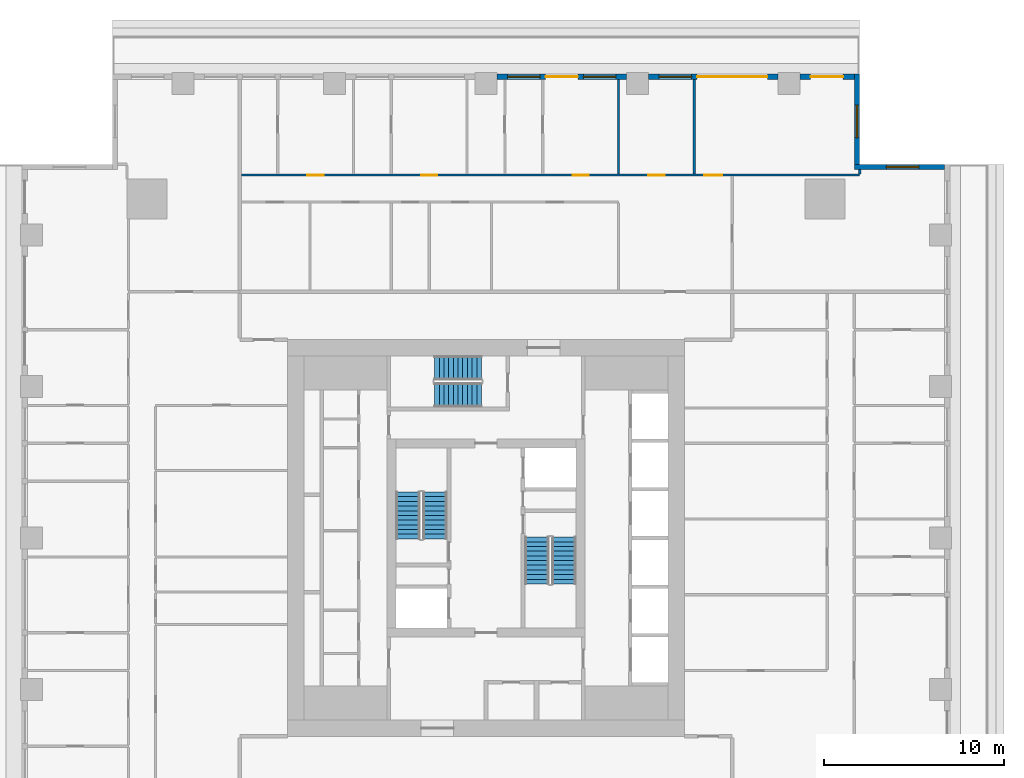
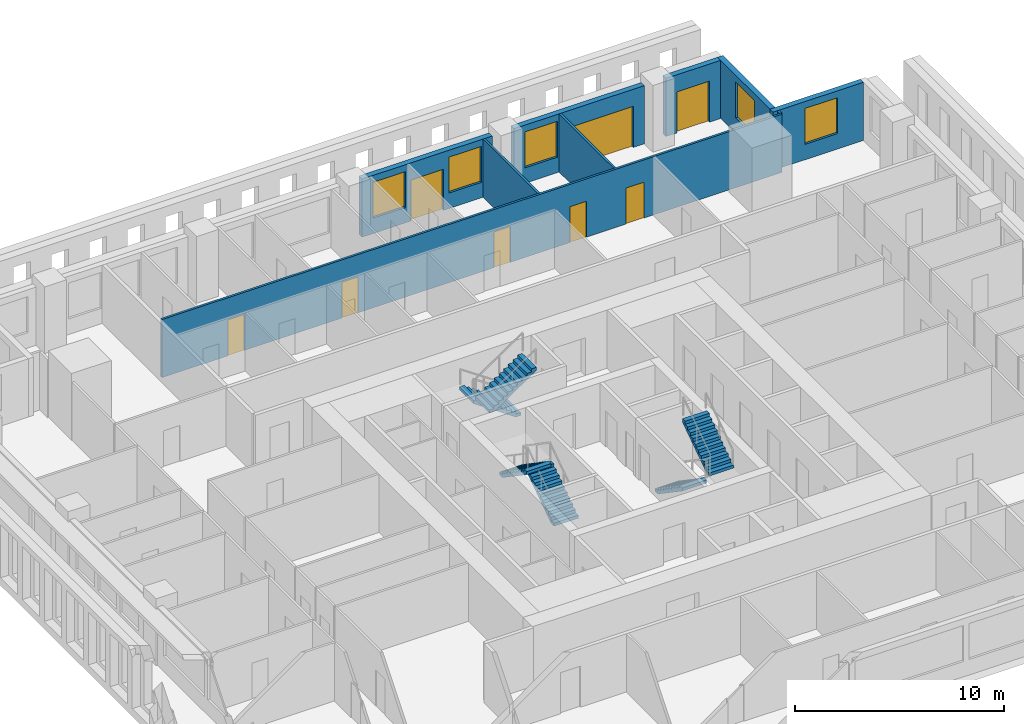
# One storey, part 9 of 14: 9 walls, 8 doors, 6 stair flights, 5 windows, 13 openings, 3 elements without a shape of their own.
"""IFC4 building model written with IfcOpenShell, lengths in metres."""

from ifc_helpers import new_model, si_unit, direction, frame, frame_2d, origin, place, context, subcontext, project, spatial, polyline, rectangle, outline, extrude, material, layer, layer_set, type_object, element, fill, aggregate, save


model = new_model("IFC4")

# Units and contexts
model_context = context("Model", 3, precision=1e-05, world=origin(), true_north=direction((0.0, 1.0)))
body_context = subcontext(model_context, "Body", "Model", "MODEL_VIEW")
ifc_project = project(units=[si_unit("LENGTHUNIT", "METRE"), si_unit("AREAUNIT", "SQUARE_METRE"), si_unit("VOLUMEUNIT", "CUBIC_METRE"), si_unit("PLANEANGLEUNIT", "RADIAN"), si_unit("MASSUNIT", "GRAM", prefix="KILO")], contexts=[model_context])

# Site, building, storey
site_placement = place(None, origin())
site = spatial("IfcSite", under=ifc_project, at=site_placement, CompositionType="ELEMENT")
building_placement = place(site_placement, origin())
building = spatial("IfcBuilding", under=site, at=building_placement, Name="Khepri Terraces", CompositionType="ELEMENT")
storey_placement = place(building_placement, frame((0.0, 0.0, 283.5)))
storey = spatial("IfcBuildingStorey", under=building, at=storey_placement, Name="L68", CompositionType="ELEMENT", Elevation=283.5)

# Wall, opening, window
ifc_material_1 = material(Name="Precast concrete C50/60 warm stone", Category="masonry")
ifc_layer_1 = layer(ifc_material_1, 0.300048828125, Name="Precast concrete C50/60 warm stone", Category="masonry")
ifc_layer_set_1 = layer_set([ifc_layer_1], Name="Precast concrete C50/60 warm stone")
wall_type_1 = type_object("IfcWallType", Name="WL-EXT-PRECAST-300", PredefinedType="STANDARD", material=ifc_layer_set_1)
wall_1_placement = place(storey_placement, frame((25.419921875, 20.570068359375, 0.0), z_axis=(0.0, 0.0, 1.0), x_axis=(-1.0, 0.0, 0.0)))
wall_1 = element("IfcWall", 1, at=wall_1_placement, inside=storey, type_object=wall_type_1, Name="External wall L68 N", PredefinedType="STANDARD", context=body_context, shape_type="SweptSolid", body=[
    extrude(rectangle(XDim=5.0, YDim=0.300048828125, at=frame_2d((2.5, 0.0))), origin(), (0.0, 0.0, 1.0), 3.39990234375),
])
opening_1_placement = place(wall_1_placement, frame((1.419921875, 0.0, 0.89990234375)))
opening_1 = element("IfcOpeningElement", 2, at=opening_1_placement, cuts=wall_1, Name="Opening W1", PredefinedType="OPENING", context=body_context, shape_type="SweptSolid", body=[
    extrude(rectangle(XDim=1.800048828125, YDim=2.10009765625, at=frame_2d((0.89990234375, 1.050048828125))), frame((0.0, 0.16015625, 0.0), z_axis=(0.0, -1.0, 0.0), x_axis=(1.0, 0.0, 0.0)), (0.0, 0.0, 1.0), 0.320068359375),
])
ifc_material_2 = material(Name="Clear glass", Category="glass")
window_type = type_object("IfcWindowType", Name="WIN-RES-1800x2100", PartitioningType="SINGLE_PANEL", PredefinedType="WINDOW", material=ifc_material_2)
window_1_placement = place(opening_1_placement, origin())
window_1 = element("IfcWindow", 3, at=window_1_placement, inside=storey, type_object=window_type, Name="Window L68 N", OverallHeight=2.10009765625, OverallWidth=1.800048828125, PartitioningType="SINGLE_PANEL", PredefinedType="WINDOW", context=body_context, shape_type="SweptSolid", body=[
    extrude(rectangle(XDim=1.800048828125, YDim=2.10009765625, at=frame_2d((0.89990234375, 1.050048828125))), frame((0.0, 0.030029296875, 0.0), z_axis=(0.0, -1.0, 0.0), x_axis=(1.0, 0.0, 0.0)), (0.0, 0.0, 1.0), 0.06005859375),
])
fill(opening_1, window_1)

wall_2_placement = place(storey_placement, frame((20.570068359375, 20.719970703125, 0.0), z_axis=(0.0, 0.0, 1.0), x_axis=(0.0, 1.0, 0.0)))
wall_2 = element("IfcWall", 4, at=wall_2_placement, inside=storey, type_object=wall_type_1, Name="External wall L68 E", PredefinedType="STANDARD", context=body_context, shape_type="SweptSolid", body=[
    extrude(rectangle(XDim=5.0, YDim=0.300048828125, at=frame_2d((2.5, 0.0))), origin(), (0.0, 0.0, 1.0), 3.39990234375),
])
opening_2_placement = place(wall_2_placement, frame((1.47998046875, 0.0, 0.89990234375)))
opening_2 = element("IfcOpeningElement", 5, at=opening_2_placement, cuts=wall_2, Name="Opening W1", PredefinedType="OPENING", context=body_context, shape_type="SweptSolid", body=[
    extrude(rectangle(XDim=1.800048828125, YDim=2.10009765625, at=frame_2d((0.89990234375, 1.050048828125))), frame((0.0, 0.16015625, 0.0), z_axis=(0.0, -1.0, 0.0), x_axis=(1.0, 0.0, 0.0)), (0.0, 0.0, 1.0), 0.320068359375),
])
window_2_placement = place(opening_2_placement, origin())
window_2 = element("IfcWindow", 6, at=window_2_placement, inside=storey, type_object=window_type, Name="Window L68 E", OverallHeight=2.10009765625, OverallWidth=1.800048828125, PartitioningType="SINGLE_PANEL", PredefinedType="WINDOW", context=body_context, shape_type="SweptSolid", body=[
    extrude(rectangle(XDim=1.800048828125, YDim=2.10009765625, at=frame_2d((0.89990234375, 1.050048828125))), frame((0.0, 0.030029296875, 0.0), z_axis=(0.0, -1.0, 0.0), x_axis=(1.0, 0.0, 0.0)), (0.0, 0.0, 1.0), 0.06005859375),
])
fill(opening_2, window_2)

# Wall, opening, door
wall_3_placement = place(storey_placement, frame((20.419921875, 25.570068359375, 0.0), z_axis=(0.0, 0.0, 1.0), x_axis=(-1.0, 0.0, 0.0)))
wall_3 = element("IfcWall", 7, at=wall_3_placement, inside=storey, type_object=wall_type_1, Name="External wall L68 N", PredefinedType="STANDARD", context=body_context, shape_type="SweptSolid", body=[
    extrude(rectangle(XDim=3.02001953125, YDim=0.300048828125, at=frame_2d((1.510009765625, 0.0))), origin(), (0.0, 0.0, 1.0), 3.39990234375),
])
opening_3_placement = place(wall_3_placement, frame((0.6201171875, 0.0, 0.0)))
opening_3 = element("IfcOpeningElement", 8, at=opening_3_placement, cuts=wall_3, Name="Opening ED-L68-05", PredefinedType="OPENING", context=body_context, shape_type="SweptSolid", body=[
    extrude(rectangle(XDim=1.800048828125, YDim=2.39990234375, at=frame_2d((0.89990234375, 1.199951171875))), frame((0.0, 0.16015625, 0.0), z_axis=(0.0, -1.0, 0.0), x_axis=(1.0, 0.0, 0.0)), (0.0, 0.0, 1.0), 0.320068359375),
])
ifc_material_3 = material(Name="Anodised aluminium bronze glazed door", Category="aluminium")
door_type_1 = type_object("IfcDoorType", Name="DR-BAL-SLIDE-1800x2400", OperationType="NOTDEFINED", PredefinedType="DOOR", material=ifc_material_3)
door_1_placement = place(opening_3_placement, origin())
door_1 = element("IfcDoor", 9, at=door_1_placement, inside=storey, type_object=door_type_1, Name="Balcony door L68 N", OperationType="SLIDING_TO_RIGHT", OverallHeight=2.39990234375, OverallWidth=1.800048828125, PredefinedType="DOOR", context=body_context, shape_type="SweptSolid", body=[
    extrude(rectangle(XDim=1.800048828125, YDim=2.39990234375, at=frame_2d((0.89990234375, 1.199951171875))), frame((0.0, 0.02490234375, 0.0), z_axis=(0.0, -1.0, 0.0), x_axis=(1.0, 0.0, 0.0)), (0.0, 0.0, 1.0), 0.050048828125),
])
fill(opening_3, door_1)

# Wall, openings, door, window
wall_4_placement = place(storey_placement, frame((16.199951171875, 25.570068359375, 0.0), z_axis=(0.0, 0.0, 1.0), x_axis=(-1.0, 0.0, 0.0)))
wall_4 = element("IfcWall", 10, at=wall_4_placement, inside=storey, type_object=wall_type_1, Name="External wall L68 N", PredefinedType="STANDARD", context=body_context, shape_type="SweptSolid", body=[
    extrude(rectangle(XDim=7.199951171875, YDim=0.300048828125, at=frame_2d((3.60009765625, 0.0))), origin(), (0.0, 0.0, 1.0), 3.39990234375),
])
opening_4_placement = place(wall_4_placement, frame((0.60009765625, 0.0, 0.0)))
opening_4 = element("IfcOpeningElement", 11, at=opening_4_placement, cuts=wall_4, Name="Opening ED-L68-06", PredefinedType="OPENING", context=body_context, shape_type="SweptSolid", body=[
    extrude(rectangle(XDim=3.89990234375, YDim=2.39990234375, at=frame_2d((1.949951171875, 1.199951171875))), frame((0.0, 0.16015625, 0.0), z_axis=(0.0, -1.0, 0.0), x_axis=(1.0, 0.0, 0.0)), (0.0, 0.0, 1.0), 0.320068359375),
])
opening_5_placement = place(wall_4_placement, frame((4.800048828125, 0.0, 0.89990234375)))
opening_5 = element("IfcOpeningElement", 12, at=opening_5_placement, cuts=wall_4, Name="Opening W1", PredefinedType="OPENING", context=body_context, shape_type="SweptSolid", body=[
    extrude(rectangle(XDim=1.800048828125, YDim=2.10009765625, at=frame_2d((0.89990234375, 1.050048828125))), frame((0.0, 0.16015625, 0.0), z_axis=(0.0, -1.0, 0.0), x_axis=(1.0, 0.0, 0.0)), (0.0, 0.0, 1.0), 0.320068359375),
])
door_type_2 = type_object("IfcDoorType", Name="DR-BAL-SLIDE-3900x2400", OperationType="NOTDEFINED", PredefinedType="DOOR", material=ifc_material_3)
door_2_placement = place(opening_4_placement, origin())
door_2 = element("IfcDoor", 13, at=door_2_placement, inside=storey, type_object=door_type_2, Name="Balcony door L68 N", OperationType="SLIDING_TO_LEFT", OverallHeight=2.39990234375, OverallWidth=3.89990234375, PredefinedType="DOOR", context=body_context, shape_type="SweptSolid", body=[
    extrude(rectangle(XDim=3.89990234375, YDim=2.39990234375, at=frame_2d((1.949951171875, 1.199951171875))), frame((0.0, 0.02490234375, 0.0), z_axis=(0.0, -1.0, 0.0), x_axis=(1.0, 0.0, 0.0)), (0.0, 0.0, 1.0), 0.050048828125),
])
fill(opening_4, door_2)
window_3_placement = place(opening_5_placement, origin())
window_3 = element("IfcWindow", 14, at=window_3_placement, inside=storey, type_object=window_type, Name="Window L68 N", OverallHeight=2.10009765625, OverallWidth=1.800048828125, PartitioningType="SINGLE_PANEL", PredefinedType="WINDOW", context=body_context, shape_type="SweptSolid", body=[
    extrude(rectangle(XDim=1.800048828125, YDim=2.10009765625, at=frame_2d((0.89990234375, 1.050048828125))), frame((0.0, 0.030029296875, 0.0), z_axis=(0.0, -1.0, 0.0), x_axis=(1.0, 0.0, 0.0)), (0.0, 0.0, 1.0), 0.06005859375),
])
fill(opening_5, window_3)

# Wall, openings, door, windows
wall_5_placement = place(storey_placement, frame((7.800048828125, 25.570068359375, 0.0), z_axis=(0.0, 0.0, 1.0), x_axis=(-1.0, 0.0, 0.0)))
wall_5 = element("IfcWall", 15, at=wall_5_placement, inside=storey, type_object=wall_type_1, Name="External wall L68 N", PredefinedType="STANDARD", context=body_context, shape_type="SweptSolid", body=[
    extrude(rectangle(XDim=7.199951171875, YDim=0.300048828125, at=frame_2d((3.60009765625, 0.0))), origin(), (0.0, 0.0, 1.0), 3.39990234375),
])
opening_6_placement = place(wall_5_placement, frame((0.60009765625, 0.0, 0.89990234375)))
opening_6 = element("IfcOpeningElement", 16, at=opening_6_placement, cuts=wall_5, Name="Opening W1", PredefinedType="OPENING", context=body_context, shape_type="SweptSolid", body=[
    extrude(rectangle(XDim=1.800048828125, YDim=2.10009765625, at=frame_2d((0.89990234375, 1.050048828125))), frame((0.0, 0.16015625, 0.0), z_axis=(0.0, -1.0, 0.0), x_axis=(1.0, 0.0, 0.0)), (0.0, 0.0, 1.0), 0.320068359375),
])
opening_7_placement = place(wall_5_placement, frame((2.699951171875, 0.0, 0.0)))
opening_7 = element("IfcOpeningElement", 17, at=opening_7_placement, cuts=wall_5, Name="Opening ED-L68-07", PredefinedType="OPENING", context=body_context, shape_type="SweptSolid", body=[
    extrude(rectangle(XDim=1.800048828125, YDim=2.39990234375, at=frame_2d((0.89990234375, 1.199951171875))), frame((0.0, 0.16015625, 0.0), z_axis=(0.0, -1.0, 0.0), x_axis=(1.0, 0.0, 0.0)), (0.0, 0.0, 1.0), 0.320068359375),
])
opening_8_placement = place(wall_5_placement, frame((4.800048828125, 0.0, 0.89990234375)))
opening_8 = element("IfcOpeningElement", 18, at=opening_8_placement, cuts=wall_5, Name="Opening W1", PredefinedType="OPENING", context=body_context, shape_type="SweptSolid", body=[
    extrude(rectangle(XDim=1.800048828125, YDim=2.10009765625, at=frame_2d((0.89990234375, 1.050048828125))), frame((0.0, 0.16015625, 0.0), z_axis=(0.0, -1.0, 0.0), x_axis=(1.0, 0.0, 0.0)), (0.0, 0.0, 1.0), 0.320068359375),
])
door_3_placement = place(opening_7_placement, origin())
door_3 = element("IfcDoor", 19, at=door_3_placement, inside=storey, type_object=door_type_1, Name="Balcony door L68 N", OperationType="SLIDING_TO_LEFT", OverallHeight=2.39990234375, OverallWidth=1.800048828125, PredefinedType="DOOR", context=body_context, shape_type="SweptSolid", body=[
    extrude(rectangle(XDim=1.800048828125, YDim=2.39990234375, at=frame_2d((0.89990234375, 1.199951171875))), frame((0.0, 0.02490234375, 0.0), z_axis=(0.0, -1.0, 0.0), x_axis=(1.0, 0.0, 0.0)), (0.0, 0.0, 1.0), 0.050048828125),
])
fill(opening_7, door_3)
window_4_placement = place(opening_6_placement, origin())
window_4 = element("IfcWindow", 20, at=window_4_placement, inside=storey, type_object=window_type, Name="Window L68 N", OverallHeight=2.10009765625, OverallWidth=1.800048828125, PartitioningType="SINGLE_PANEL", PredefinedType="WINDOW", context=body_context, shape_type="SweptSolid", body=[
    extrude(rectangle(XDim=1.800048828125, YDim=2.10009765625, at=frame_2d((0.89990234375, 1.050048828125))), frame((0.0, 0.030029296875, 0.0), z_axis=(0.0, -1.0, 0.0), x_axis=(1.0, 0.0, 0.0)), (0.0, 0.0, 1.0), 0.06005859375),
])
fill(opening_6, window_4)
window_5_placement = place(opening_8_placement, origin())
window_5 = element("IfcWindow", 21, at=window_5_placement, inside=storey, type_object=window_type, Name="Window L68 N", OverallHeight=2.10009765625, OverallWidth=1.800048828125, PartitioningType="SINGLE_PANEL", PredefinedType="WINDOW", context=body_context, shape_type="SweptSolid", body=[
    extrude(rectangle(XDim=1.800048828125, YDim=2.10009765625, at=frame_2d((0.89990234375, 1.050048828125))), frame((0.0, 0.030029296875, 0.0), z_axis=(0.0, -1.0, 0.0), x_axis=(1.0, 0.0, 0.0)), (0.0, 0.0, 1.0), 0.06005859375),
])
fill(opening_8, window_5)

# Wall, openings, doors
ifc_material_4 = material(Name="Gypsum plasterboard partition")
ifc_layer_2 = layer(ifc_material_4, 0.1201171875, Name="Gypsum plasterboard partition")
ifc_layer_set_2 = layer_set([ifc_layer_2], Name="Gypsum plasterboard partition")
wall_type_2 = type_object("IfcWallType", Name="WL-PART-120", PredefinedType="PARTITIONING", material=ifc_layer_set_2)
wall_6_placement = place(storey_placement, frame((-13.550048828125, 20.1201171875, 0.0), z_axis=(0.0, 0.0, 1.0), x_axis=(1.0, 0.0, 0.0)))
wall_6 = element("IfcWall", 22, at=wall_6_placement, inside=storey, type_object=wall_type_2, Name="Partition P-090 L68", PredefinedType="PARTITIONING", context=body_context, shape_type="SweptSolid", body=[
    extrude(rectangle(XDim=34.26904296875, YDim=0.1201171875, at=frame_2d((17.134521484375, 0.0))), origin(), (0.0, 0.0, 1.0), 3.39990234375),
])
opening_9_placement = place(wall_6_placement, frame((25.64990234375, 0.0, 0.0)))
opening_9 = element("IfcOpeningElement", 23, at=opening_9_placement, cuts=wall_6, Name="Opening D2", PredefinedType="OPENING", context=body_context, shape_type="SweptSolid", body=[
    extrude(rectangle(XDim=1.0, YDim=2.10009765625, at=frame_2d((0.5, 1.050048828125))), frame((0.0, 0.070068359375, 0.0), z_axis=(0.0, -1.0, 0.0), x_axis=(1.0, 0.0, 0.0)), (0.0, 0.0, 1.0), 0.14013671875),
])
opening_10_placement = place(wall_6_placement, frame((22.550048828125, 0.0, 0.0)))
opening_10 = element("IfcOpeningElement", 24, at=opening_10_placement, cuts=wall_6, Name="Opening D3", PredefinedType="OPENING", context=body_context, shape_type="SweptSolid", body=[
    extrude(rectangle(XDim=0.89990234375, YDim=2.10009765625, at=frame_2d((0.449951171875, 1.050048828125))), frame((0.0, 0.070068359375, 0.0), z_axis=(0.0, -1.0, 0.0), x_axis=(1.0, 0.0, 0.0)), (0.0, 0.0, 1.0), 0.14013671875),
])
opening_11_placement = place(wall_6_placement, frame((18.35009765625, 0.0, 0.0)))
opening_11 = element("IfcOpeningElement", 25, at=opening_11_placement, cuts=wall_6, Name="Opening D3", PredefinedType="OPENING", context=body_context, shape_type="SweptSolid", body=[
    extrude(rectangle(XDim=0.89990234375, YDim=2.10009765625, at=frame_2d((0.449951171875, 1.050048828125))), frame((0.0, 0.070068359375, 0.0), z_axis=(0.0, -1.0, 0.0), x_axis=(1.0, 0.0, 0.0)), (0.0, 0.0, 1.0), 0.14013671875),
])
opening_12_placement = place(wall_6_placement, frame((9.949951171875, 0.0, 0.0)))
opening_12 = element("IfcOpeningElement", 26, at=opening_12_placement, cuts=wall_6, Name="Opening D3", PredefinedType="OPENING", context=body_context, shape_type="SweptSolid", body=[
    extrude(rectangle(XDim=0.89990234375, YDim=2.10009765625, at=frame_2d((0.449951171875, 1.050048828125))), frame((0.0, 0.070068359375, 0.0), z_axis=(0.0, -1.0, 0.0), x_axis=(1.0, 0.0, 0.0)), (0.0, 0.0, 1.0), 0.14013671875),
])
opening_13_placement = place(wall_6_placement, frame((3.64990234375, 0.0, 0.0)))
opening_13 = element("IfcOpeningElement", 27, at=opening_13_placement, cuts=wall_6, Name="Opening D3", PredefinedType="OPENING", context=body_context, shape_type="SweptSolid", body=[
    extrude(rectangle(XDim=0.89990234375, YDim=2.10009765625, at=frame_2d((0.449951171875, 1.050048828125))), frame((0.0, 0.070068359375, 0.0), z_axis=(0.0, -1.0, 0.0), x_axis=(1.0, 0.0, 0.0)), (0.0, 0.0, 1.0), 0.14013671875),
])
ifc_material_5 = material(Name="Timber door leaf, living room door", Category="wood")
door_type_3 = type_object("IfcDoorType", Name="DR-INT-1000", OperationType="NOTDEFINED", PredefinedType="DOOR", material=ifc_material_5)
door_4_placement = place(opening_9_placement, origin())
door_4 = element("IfcDoor", 28, at=door_4_placement, inside=storey, type_object=door_type_3, Name="Door Living Room", OperationType="SINGLE_SWING_RIGHT", OverallHeight=2.10009765625, OverallWidth=1.0, PredefinedType="DOOR", context=body_context, shape_type="SweptSolid", body=[
    extrude(rectangle(XDim=1.0, YDim=2.10009765625, at=frame_2d((0.5, 1.050048828125))), frame((0.0, 0.02490234375, 0.0), z_axis=(0.0, -1.0, 0.0), x_axis=(1.0, 0.0, 0.0)), (0.0, 0.0, 1.0), 0.050048828125),
])
fill(opening_9, door_4)
ifc_material_6 = material(Name="Timber door leaf", Category="wood")
door_type_4 = type_object("IfcDoorType", Name="DR-INT-900", OperationType="NOTDEFINED", PredefinedType="DOOR", material=ifc_material_6)
door_5_placement = place(opening_10_placement, origin())
door_5 = element("IfcDoor", 29, at=door_5_placement, inside=storey, type_object=door_type_4, Name="Door Study", OperationType="SINGLE_SWING_RIGHT", OverallHeight=2.10009765625, OverallWidth=0.89990234375, PredefinedType="DOOR", context=body_context, shape_type="SweptSolid", body=[
    extrude(rectangle(XDim=0.89990234375, YDim=2.10009765625, at=frame_2d((0.449951171875, 1.050048828125))), frame((0.0, 0.02490234375, 0.0), z_axis=(0.0, -1.0, 0.0), x_axis=(1.0, 0.0, 0.0)), (0.0, 0.0, 1.0), 0.050048828125),
])
fill(opening_10, door_5)
door_6_placement = place(opening_11_placement, origin())
door_6 = element("IfcDoor", 30, at=door_6_placement, inside=storey, type_object=door_type_4, Name="Door Master Bedroom", OperationType="SINGLE_SWING_RIGHT", OverallHeight=2.10009765625, OverallWidth=0.89990234375, PredefinedType="DOOR", context=body_context, shape_type="SweptSolid", body=[
    extrude(rectangle(XDim=0.89990234375, YDim=2.10009765625, at=frame_2d((0.449951171875, 1.050048828125))), frame((0.0, 0.02490234375, 0.0), z_axis=(0.0, -1.0, 0.0), x_axis=(1.0, 0.0, 0.0)), (0.0, 0.0, 1.0), 0.050048828125),
])
fill(opening_11, door_6)
door_7_placement = place(opening_12_placement, origin())
door_7 = element("IfcDoor", 31, at=door_7_placement, inside=storey, type_object=door_type_4, Name="Door Bedroom", OperationType="SINGLE_SWING_LEFT", OverallHeight=2.10009765625, OverallWidth=0.89990234375, PredefinedType="DOOR", context=body_context, shape_type="SweptSolid", body=[
    extrude(rectangle(XDim=0.89990234375, YDim=2.10009765625, at=frame_2d((0.449951171875, 1.050048828125))), frame((0.0, 0.02490234375, 0.0), z_axis=(0.0, -1.0, 0.0), x_axis=(1.0, 0.0, 0.0)), (0.0, 0.0, 1.0), 0.050048828125),
])
fill(opening_12, door_7)
door_8_placement = place(opening_13_placement, origin())
door_8 = element("IfcDoor", 32, at=door_8_placement, inside=storey, type_object=door_type_4, Name="Door Bedroom", OperationType="SINGLE_SWING_LEFT", OverallHeight=2.10009765625, OverallWidth=0.89990234375, PredefinedType="DOOR", context=body_context, shape_type="SweptSolid", body=[
    extrude(rectangle(XDim=0.89990234375, YDim=2.10009765625, at=frame_2d((0.449951171875, 1.050048828125))), frame((0.0, 0.02490234375, 0.0), z_axis=(0.0, -1.0, 0.0), x_axis=(1.0, 0.0, 0.0)), (0.0, 0.0, 1.0), 0.050048828125),
])
fill(opening_13, door_8)

# Walls
for number, where, z_axis, x_axis, name in (
    (33, (7.35009765625, 20.179931640625, 0.0), (0.0, 0.0, 1.0), (0.0, 1.0, 0.0), "Partition P-097 L68"),
    (34, (11.550048828125, 20.179931640625, 0.0), (0.0, 0.0, 1.0), (0.0, 1.0, 0.0), "Partition P-098 L68"),
):
    element("IfcWall", number, at=place(storey_placement, frame(where, z_axis=z_axis, x_axis=x_axis)), inside=storey, type_object=wall_type_2, Name=name, PredefinedType="PARTITIONING", context=body_context, shape_type="SweptSolid", body=[
        extrude(rectangle(XDim=5.239990234375, YDim=0.1201171875, at=frame_2d((2.6201171875, 0.0))), origin(), (0.0, 0.0, 1.0), 3.39990234375),
    ])
wall_7_placement = place(storey_placement, frame((20.718994140625, 20.179931640625, 0.0), z_axis=(0.0, 0.0, 1.0), x_axis=(0.0, 1.0, 0.0)))
element("IfcWall", 35, at=wall_7_placement, inside=storey, type_object=wall_type_2, Name="Partition P-099 L68", PredefinedType="PARTITIONING", context=body_context, shape_type="SweptSolid", body=[
    extrude(rectangle(XDim=0.240966796875, YDim=0.1201171875, at=frame_2d((0.12060546875, 0.0))), origin(), (0.0, 0.0, 1.0), 3.39990234375),
])

# Stair, stair flights
ifc_material_7 = material(Name="Concrete C40/50", Category="concrete")
stair_type = type_object("IfcStairType", Name="STAIR-RC-22R", PredefinedType="HALF_TURN_STAIR", material=ifc_material_7)
stair_1_placement = place(storey_placement, origin())
stair_1 = element("IfcStair", 36, at=stair_1_placement, inside=storey, type_object=stair_type, Name="L68 Exit Stair ST-1", PredefinedType="HALF_TURN_STAIR")
stair_flight_type = type_object("IfcStairFlightType", Name="SFL-RC-177.3", PredefinedType="STRAIGHT", material=ifc_material_7)
stair_flight_1_placement = place(storey_placement, frame((-2.824951171875, -0.050048828125, 0.0), z_axis=(0.0, 0.0, 1.0), x_axis=(0.0, 1.0, 0.0)))
stair_flight_1 = element("IfcStairFlight", 37, at=stair_flight_1_placement, type_object=stair_flight_type, Name="ST-1 flight 1", NumberOfRisers=11, NumberOfTreads=10, PredefinedType="STRAIGHT", RiserHeight=0.177272727, TreadLength=0.26, context=body_context, shape_type="SweptSolid", body=[
    extrude(outline(polyline([(0.0, 0.0), (0.0, 0.17724609375), (0.260009765625, 0.17724609375), (0.260009765625, 0.3544921875), (0.52001953125, 0.3544921875), (0.52001953125, 0.53173828125), (0.780029296875, 0.53173828125), (0.780029296875, 0.708984375), (1.0400390625, 0.708984375), (1.0400390625, 0.886474609375), (1.300048828125, 0.886474609375), (1.300048828125, 1.063720703125), (1.56005859375, 1.063720703125), (1.56005859375, 1.240966796875), (1.820068359375, 1.240966796875), (1.820068359375, 1.418212890625), (2.080078125, 1.418212890625), (2.080078125, 1.595458984375), (2.340087890625, 1.595458984375), (2.340087890625, 1.772705078125), (2.60009765625, 1.772705078125), (2.60009765625, 1.949951171875), (2.60009765625, 1.59130859375), (0.26611328125, 0.0), (0.0, 0.0)])), frame((0.0, 0.675048828125, 0.0), z_axis=(0.0, -1.0, 0.0), x_axis=(1.0, 0.0, 0.0)), (0.0, 0.0, 1.0), 1.35009765625),
])
stair_flight_2_placement = place(storey_placement, frame((-4.324951171875, 2.550048828125, 1.949951171875), z_axis=(0.0, 0.0, 1.0), x_axis=(0.0, -1.0, 0.0)))
stair_flight_2 = element("IfcStairFlight", 38, at=stair_flight_2_placement, type_object=stair_flight_type, Name="ST-1 flight 2", NumberOfRisers=11, NumberOfTreads=10, PredefinedType="STRAIGHT", RiserHeight=0.177272727, TreadLength=0.26, context=body_context, shape_type="SweptSolid", body=[
    extrude(outline(polyline([(0.0, 0.0), (0.0, 0.17724609375), (0.260009765625, 0.17724609375), (0.260009765625, 0.3544921875), (0.52001953125, 0.3544921875), (0.52001953125, 0.53173828125), (0.780029296875, 0.53173828125), (0.780029296875, 0.708984375), (1.0400390625, 0.708984375), (1.0400390625, 0.886474609375), (1.300048828125, 0.886474609375), (1.300048828125, 1.063720703125), (1.56005859375, 1.063720703125), (1.56005859375, 1.240966796875), (1.820068359375, 1.240966796875), (1.820068359375, 1.418212890625), (2.080078125, 1.418212890625), (2.080078125, 1.595458984375), (2.340087890625, 1.595458984375), (2.340087890625, 1.772705078125), (2.60009765625, 1.772705078125), (2.60009765625, 1.949951171875), (2.60009765625, 1.59130859375), (0.26611328125, 0.0), (0.0, 0.0)])), frame((0.0, 0.675048828125, 0.0), z_axis=(0.0, -1.0, 0.0), x_axis=(1.0, 0.0, 0.0)), (0.0, 0.0, 1.0), 1.35009765625),
])
aggregate(stair_1, [stair_flight_1, stair_flight_2])

stair_2_placement = place(storey_placement, origin())
stair_2 = element("IfcStair", 39, at=stair_2_placement, inside=storey, type_object=stair_type, Name="L68 Exit Stair ST-2", PredefinedType="HALF_TURN_STAIR")
stair_flight_3_placement = place(storey_placement, frame((2.824951171875, 0.050048828125, 0.0), z_axis=(0.0, 0.0, 1.0), x_axis=(0.0, -1.0, 0.0)))
stair_flight_3 = element("IfcStairFlight", 40, at=stair_flight_3_placement, type_object=stair_flight_type, Name="ST-2 flight 1", NumberOfRisers=11, NumberOfTreads=10, PredefinedType="STRAIGHT", RiserHeight=0.177272727, TreadLength=0.26, context=body_context, shape_type="SweptSolid", body=[
    extrude(outline(polyline([(0.0, 0.0), (0.0, 0.17724609375), (0.260009765625, 0.17724609375), (0.260009765625, 0.3544921875), (0.52001953125, 0.3544921875), (0.52001953125, 0.53173828125), (0.780029296875, 0.53173828125), (0.780029296875, 0.708984375), (1.0400390625, 0.708984375), (1.0400390625, 0.886474609375), (1.300048828125, 0.886474609375), (1.300048828125, 1.063720703125), (1.56005859375, 1.063720703125), (1.56005859375, 1.240966796875), (1.820068359375, 1.240966796875), (1.820068359375, 1.418212890625), (2.080078125, 1.418212890625), (2.080078125, 1.595458984375), (2.340087890625, 1.595458984375), (2.340087890625, 1.772705078125), (2.60009765625, 1.772705078125), (2.60009765625, 1.949951171875), (2.60009765625, 1.59130859375), (0.26611328125, 0.0), (0.0, 0.0)])), frame((0.0, 0.675048828125, 0.0), z_axis=(0.0, -1.0, 0.0), x_axis=(1.0, 0.0, 0.0)), (0.0, 0.0, 1.0), 1.35009765625),
])
stair_flight_4_placement = place(storey_placement, frame((4.324951171875, -2.550048828125, 1.949951171875), z_axis=(0.0, 0.0, 1.0), x_axis=(0.0, 1.0, 0.0)))
stair_flight_4 = element("IfcStairFlight", 41, at=stair_flight_4_placement, type_object=stair_flight_type, Name="ST-2 flight 2", NumberOfRisers=11, NumberOfTreads=10, PredefinedType="STRAIGHT", RiserHeight=0.177272727, TreadLength=0.26, context=body_context, shape_type="SweptSolid", body=[
    extrude(outline(polyline([(0.0, 0.0), (0.0, 0.17724609375), (0.260009765625, 0.17724609375), (0.260009765625, 0.3544921875), (0.52001953125, 0.3544921875), (0.52001953125, 0.53173828125), (0.780029296875, 0.53173828125), (0.780029296875, 0.708984375), (1.0400390625, 0.708984375), (1.0400390625, 0.886474609375), (1.300048828125, 0.886474609375), (1.300048828125, 1.063720703125), (1.56005859375, 1.063720703125), (1.56005859375, 1.240966796875), (1.820068359375, 1.240966796875), (1.820068359375, 1.418212890625), (2.080078125, 1.418212890625), (2.080078125, 1.595458984375), (2.340087890625, 1.595458984375), (2.340087890625, 1.772705078125), (2.60009765625, 1.772705078125), (2.60009765625, 1.949951171875), (2.60009765625, 1.59130859375), (0.26611328125, 0.0), (0.0, 0.0)])), frame((0.0, 0.675048828125, 0.0), z_axis=(0.0, -1.0, 0.0), x_axis=(1.0, 0.0, 0.0)), (0.0, 0.0, 1.0), 1.35009765625),
])
aggregate(stair_2, [stair_flight_3, stair_flight_4])

stair_3_placement = place(storey_placement, origin())
stair_3 = element("IfcStair", 42, at=stair_3_placement, inside=storey, type_object=stair_type, Name="L68 Exit Stair ST-3", PredefinedType="HALF_TURN_STAIR")
stair_flight_5_placement = place(storey_placement, frame((-0.25, 9.425048828125, 0.0), z_axis=(0.0, 0.0, 1.0), x_axis=(-1.0, 0.0, 0.0)))
stair_flight_5 = element("IfcStairFlight", 43, at=stair_flight_5_placement, type_object=stair_flight_type, Name="ST-3 flight 1", NumberOfRisers=11, NumberOfTreads=10, PredefinedType="STRAIGHT", RiserHeight=0.177272727, TreadLength=0.26, context=body_context, shape_type="SweptSolid", body=[
    extrude(outline(polyline([(0.0, 0.0), (0.0, 0.17724609375), (0.260009765625, 0.17724609375), (0.260009765625, 0.3544921875), (0.52001953125, 0.3544921875), (0.52001953125, 0.53173828125), (0.780029296875, 0.53173828125), (0.780029296875, 0.708984375), (1.0400390625, 0.708984375), (1.0400390625, 0.886474609375), (1.300048828125, 0.886474609375), (1.300048828125, 1.063720703125), (1.56005859375, 1.063720703125), (1.56005859375, 1.240966796875), (1.820068359375, 1.240966796875), (1.820068359375, 1.418212890625), (2.080078125, 1.418212890625), (2.080078125, 1.595458984375), (2.340087890625, 1.595458984375), (2.340087890625, 1.772705078125), (2.60009765625, 1.772705078125), (2.60009765625, 1.949951171875), (2.60009765625, 1.59130859375), (0.26611328125, 0.0), (0.0, 0.0)])), frame((0.0, 0.675048828125, 0.0), z_axis=(0.0, -1.0, 0.0), x_axis=(1.0, 0.0, 0.0)), (0.0, 0.0, 1.0), 1.35009765625),
])
stair_flight_6_placement = place(storey_placement, frame((-2.85009765625, 7.925048828125, 1.949951171875), z_axis=(0.0, 0.0, 1.0), x_axis=(1.0, 0.0, 0.0)))
stair_flight_6 = element("IfcStairFlight", 44, at=stair_flight_6_placement, type_object=stair_flight_type, Name="ST-3 flight 2", NumberOfRisers=11, NumberOfTreads=10, PredefinedType="STRAIGHT", RiserHeight=0.177272727, TreadLength=0.26, context=body_context, shape_type="SweptSolid", body=[
    extrude(outline(polyline([(0.0, 0.0), (0.0, 0.17724609375), (0.260009765625, 0.17724609375), (0.260009765625, 0.3544921875), (0.52001953125, 0.3544921875), (0.52001953125, 0.53173828125), (0.780029296875, 0.53173828125), (0.780029296875, 0.708984375), (1.0400390625, 0.708984375), (1.0400390625, 0.886474609375), (1.300048828125, 0.886474609375), (1.300048828125, 1.063720703125), (1.56005859375, 1.063720703125), (1.56005859375, 1.240966796875), (1.820068359375, 1.240966796875), (1.820068359375, 1.418212890625), (2.080078125, 1.418212890625), (2.080078125, 1.595458984375), (2.340087890625, 1.595458984375), (2.340087890625, 1.772705078125), (2.60009765625, 1.772705078125), (2.60009765625, 1.949951171875), (2.60009765625, 1.59130859375), (0.26611328125, 0.0), (0.0, 0.0)])), frame((0.0, 0.675048828125, 0.0), z_axis=(0.0, -1.0, 0.0), x_axis=(1.0, 0.0, 0.0)), (0.0, 0.0, 1.0), 1.35009765625),
])
aggregate(stair_3, [stair_flight_5, stair_flight_6])

save(model, "model.ifc")
